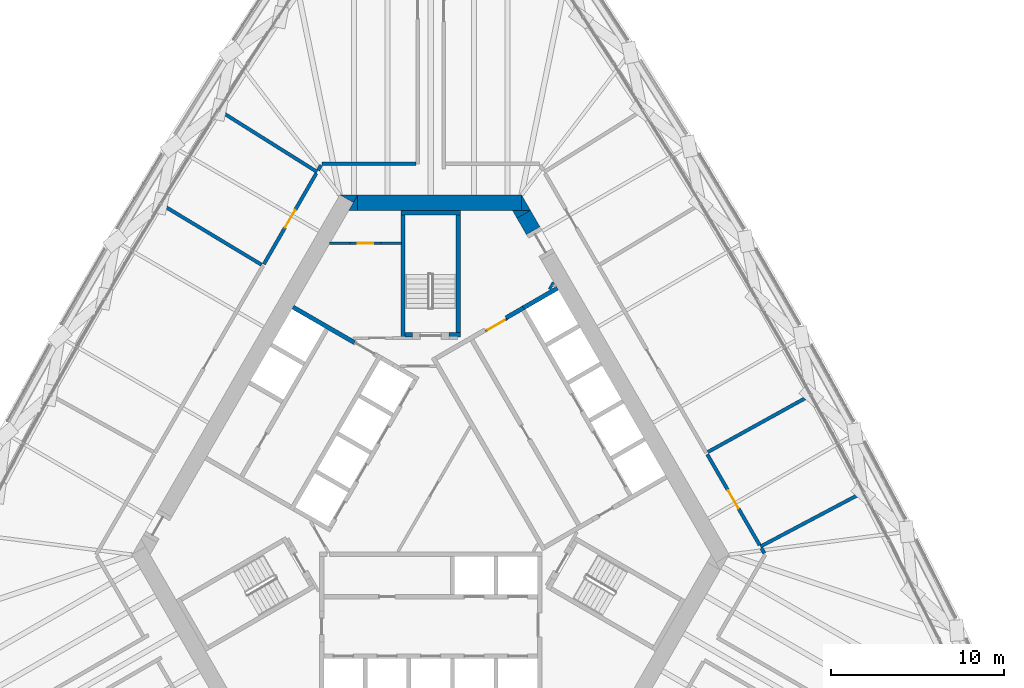
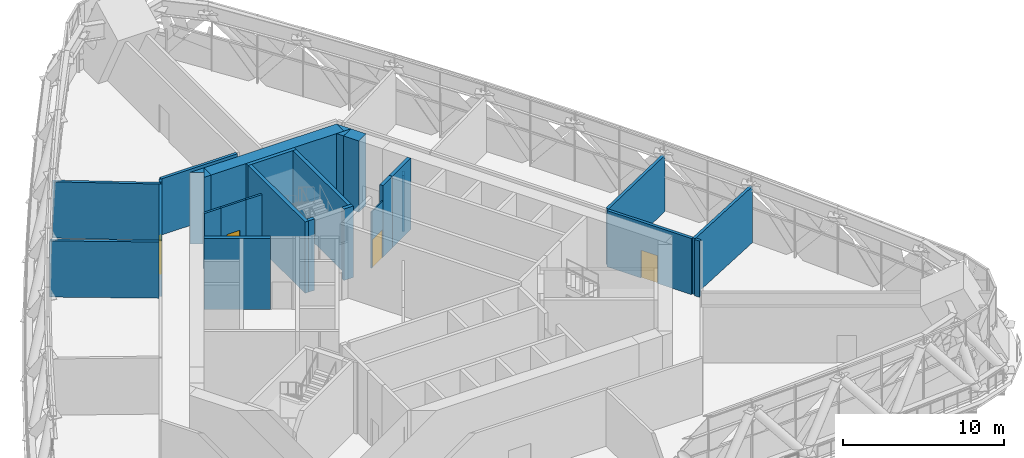
# One storey, part 29 of 43: 28 walls, 4 doors, 4 openings.
"""IFC4 building model written with IfcOpenShell, lengths in metres."""

from ifc_helpers import new_model, si_unit, direction, frame, frame_2d, origin, place, context, subcontext, project, spatial, polyline, rectangle, outline, extrude, material, layer, layer_set, type_object, element, fill, save


model = new_model("IFC4")

# Units and contexts
model_context = context("Model", 3, precision=1e-05, world=origin(), true_north=direction((0.0, 1.0)))
body_context = subcontext(model_context, "Body", "Model", "MODEL_VIEW")
ifc_project = project(units=[si_unit("LENGTHUNIT", "METRE"), si_unit("AREAUNIT", "SQUARE_METRE"), si_unit("VOLUMEUNIT", "CUBIC_METRE"), si_unit("PLANEANGLEUNIT", "RADIAN"), si_unit("MASSUNIT", "GRAM", prefix="KILO")], contexts=[model_context])

# Site, building, storey
site_placement = place(None, origin())
site = spatial("IfcSite", under=ifc_project, at=site_placement, CompositionType="ELEMENT")
building_placement = place(site_placement, origin())
building = spatial("IfcBuilding", under=site, at=building_placement, Name="Mestral Congress Tower", CompositionType="ELEMENT")
storey_placement = place(building_placement, frame((0.0, 0.0, 78.300048828125)))
storey = spatial("IfcBuildingStorey", under=building, at=storey_placement, Name="L18", CompositionType="ELEMENT", Elevation=78.300048828125)

# Walls
ifc_material_1 = material(Name="Fire-rated board partition")
ifc_layer_1 = layer(ifc_material_1, 0.14990234375)
ifc_layer_set_1 = layer_set([ifc_layer_1], Name="Fire-rated board partition")
wall_type_1 = type_object("IfcWallType", Name="Core partition 150", PredefinedType="PARTITIONING", material=ifc_layer_set_1)
wall_1_placement = place(storey_placement, frame((-5.85107421875, 14.10205078125, 0.0), z_axis=(0.0, 0.0, 1.0), x_axis=(1.0, 0.0, 0.0)))
element("IfcWall", 1, at=wall_1_placement, inside=storey, type_object=wall_type_1, Name="L18 core wall", PredefinedType="PARTITIONING", context=body_context, shape_type="SweptSolid", body=[
    extrude(rectangle(XDim=1.18017578125, YDim=0.14990234375, at=frame_2d((0.590087890625, 0.0))), origin(), (0.0, 0.0, 1.0), 4.25),
])
wall_2_placement = place(storey_placement, frame((-2.87060546875, 14.10205078125, 0.0), z_axis=(0.0, 0.0, 1.0), x_axis=(1.0, 0.0, 0.0)))
element("IfcWall", 2, at=wall_2_placement, inside=storey, type_object=wall_type_1, Name="L18 core wall", PredefinedType="PARTITIONING", context=body_context, shape_type="SweptSolid", body=[
    extrude(rectangle(XDim=1.195556640625, YDim=0.14990234375, at=frame_2d((0.59765625, 0.0))), origin(), (0.0, 0.0, 1.0), 4.25),
])
wall_3_placement = place(storey_placement, frame((6.87158203125, 11.44970703125, 0.0), z_axis=(0.0, 0.0, 1.0), x_axis=(0.499846793097, 0.866113839764, 0.0)))
element("IfcWall", 3, at=wall_3_placement, inside=storey, type_object=wall_type_1, Name="L18 core wall", PredefinedType="PARTITIONING", context=body_context, shape_type="SweptSolid", body=[
    extrude(rectangle(XDim=0.453369140625, YDim=0.14990234375, at=frame_2d((0.2265625, 0.0))), origin(), (0.0, 0.0, 1.0), 4.25),
])

# Wall, opening, door
wall_4_placement = place(storey_placement, frame((-2.870849609375, 14.10205078125, 0.0), z_axis=(0.0, 0.0, 1.0), x_axis=(-1.0, 0.0, 0.0)))
wall_4 = element("IfcWall", 4, at=wall_4_placement, inside=storey, type_object=wall_type_1, Name="L18 door wall", PredefinedType="PARTITIONING", context=body_context, shape_type="SweptSolid", body=[
    extrude(rectangle(XDim=1.800048828125, YDim=0.14990234375, at=frame_2d((0.89990234375, 0.0))), origin(), (0.0, 0.0, 1.0), 4.25),
])
opening_1_placement = place(wall_4_placement, frame((0.449951171875, 0.0, 0.0)))
opening_1 = element("IfcOpeningElement", 5, at=opening_1_placement, cuts=wall_4, Name="Opening SD-WS2", PredefinedType="OPENING", context=body_context, shape_type="SweptSolid", body=[
    extrude(rectangle(XDim=0.89990234375, YDim=2.10009765625, at=frame_2d((0.449951171875, 1.050048828125))), frame((0.0, 0.0849609375, 0.0), z_axis=(0.0, -1.0, 0.0), x_axis=(1.0, 0.0, 0.0)), (0.0, 0.0, 1.0), 0.169921875),
])
ifc_material_2 = material(Name="Fire-rated steel door set", Category="steel")
door_type_1 = type_object("IfcDoorType", Name="Core door SR 900x2100", OperationType="SINGLE_SWING_LEFT", PredefinedType="DOOR", material=ifc_material_2)
door_1_placement = place(opening_1_placement, origin())
door_1 = element("IfcDoor", 6, at=door_1_placement, inside=storey, type_object=door_type_1, Name="Door SD-WS2", OperationType="SINGLE_SWING_LEFT", OverallHeight=2.10009765625, OverallWidth=0.89990234375, PredefinedType="DOOR", context=body_context, shape_type="SweptSolid", body=[
    extrude(rectangle(XDim=0.89990234375, YDim=2.10009765625, at=frame_2d((0.449951171875, 1.050048828125))), frame((0.0, 0.02490234375, 0.0), z_axis=(0.0, -1.0, 0.0), x_axis=(1.0, 0.0, 0.0)), (0.0, 0.0, 1.0), 0.050048828125),
])
fill(opening_1, door_1)

ifc_layer_2 = layer(ifc_material_1, 0.090087890625)
ifc_layer_set_2 = layer_set([ifc_layer_2], Name="Fire-rated board partition")
wall_type_2 = type_object("IfcWallType", Name="Core partition 150 door-wall 90", PredefinedType="PARTITIONING", material=ifc_layer_set_2)
wall_5_placement = place(storey_placement, frame((3.182861328125, 9.02001953125, 0.0), z_axis=(0.0, 0.0, 1.0), x_axis=(0.866034573852, 0.49998411664, 0.0)))
wall_5 = element("IfcWall", 7, at=wall_5_placement, inside=storey, type_object=wall_type_2, Name="L18 door wall", PredefinedType="PARTITIONING", context=body_context, shape_type="SweptSolid", body=[
    extrude(rectangle(XDim=1.39990234375, YDim=0.090087890625, at=frame_2d((0.699951171875, 0.0))), origin(), (0.0, 0.0, 1.0), 4.25),
])
opening_2_placement = place(wall_5_placement, frame((0.10009765625, 0.0, 0.0)))
opening_2 = element("IfcOpeningElement", 8, at=opening_2_placement, cuts=wall_5, Name="Opening LB1-WL2", PredefinedType="OPENING", context=body_context, shape_type="SweptSolid", body=[
    extrude(rectangle(XDim=1.199951171875, YDim=2.10009765625, at=frame_2d((0.60009765625, 1.050048828125))), frame((0.0, 0.054931640625, 0.0), z_axis=(0.0, -1.0, 0.0), x_axis=(1.0, 0.0, 0.0)), (0.0, 0.0, 1.0), 0.110107421875),
])
door_type_2 = type_object("IfcDoorType", Name="Core door LB 1200x2100", OperationType="SINGLE_SWING_LEFT", PredefinedType="DOOR", material=ifc_material_2)
door_2_placement = place(opening_2_placement, origin())
door_2 = element("IfcDoor", 9, at=door_2_placement, inside=storey, type_object=door_type_2, Name="Door LB1-WL2", OperationType="SINGLE_SWING_LEFT", OverallHeight=2.10009765625, OverallWidth=1.199951171875, PredefinedType="DOOR", context=body_context, shape_type="SweptSolid", body=[
    extrude(rectangle(XDim=1.199951171875, YDim=2.10009765625, at=frame_2d((0.60009765625, 1.050048828125))), frame((0.0, 0.02490234375, 0.0), z_axis=(0.0, -1.0, 0.0), x_axis=(1.0, 0.0, 0.0)), (0.0, 0.0, 1.0), 0.050048828125),
])
fill(opening_2, door_2)

# Walls
ifc_material_3 = material(Name="Concrete C60/75", Category="concrete")
ifc_layer_3 = layer(ifc_material_3, 0.89990234375)
ifc_layer_set_3 = layer_set([ifc_layer_3], Name="Concrete C60/75")
wall_type_3 = type_object("IfcWallType", Name="Core wall RC 900", PredefinedType="SOLIDWALL", material=ifc_layer_set_3)
placement = place(storey_placement, origin())
element("IfcWall", 10, at=placement, inside=storey, type_object=wall_type_3, Name="L18 core wall", PredefinedType="SOLIDWALL", context=body_context, shape_type="SweptSolid", body=[
    extrude(outline(polyline([(-4.214599609375, 16.89990234375), (-4.46875, 16.460205078125), (-5.230712890625, 16.89990234375), (-4.214599609375, 16.89990234375)])), origin(), (0.0, 0.0, 1.0), 5.39990234375),
])
wall_7_placement = place(storey_placement, frame((-4.224365234375, 16.449951171875, 0.0), z_axis=(0.0, 0.0, 1.0), x_axis=(1.0, 0.0, 0.0)))
element("IfcWall", 11, at=wall_7_placement, inside=storey, type_object=wall_type_3, Name="L18 core wall", PredefinedType="SOLIDWALL", context=body_context, shape_type="SweptSolid", body=[
    extrude(rectangle(XDim=9.48779296875, YDim=0.89990234375, at=frame_2d((4.743896484375, 0.0))), origin(), (0.0, 0.0, 1.0), 5.39990234375),
])
element("IfcWall", 12, at=placement, inside=storey, type_object=wall_type_3, Name="L18 core wall", PredefinedType="SOLIDWALL", context=body_context, shape_type="SweptSolid", body=[
    extrude(outline(polyline([(5.265380859375, 16.0), (5.265380859375, 16.8798828125), (5.7734375, 16.0), (5.265380859375, 16.0)])), origin(), (0.0, 0.0, 1.0), 5.39990234375),
])
element("IfcWall", 13, at=placement, inside=storey, type_object=wall_type_3, Name="L18 core wall", PredefinedType="SOLIDWALL", context=body_context, shape_type="SweptSolid", body=[
    extrude(outline(polyline([(-4.734375, 16.0), (-4.226318359375, 16.8798828125), (-4.226318359375, 16.0), (-4.734375, 16.0)])), origin(), (0.0, 0.0, 1.0), 5.39990234375),
])
wall_10_placement = place(storey_placement, frame((5.92578125, 14.836181640625, 0.0), z_axis=(0.0, 0.0, 1.0), x_axis=(-0.500076735116, 0.865981096212, 0.0)))
element("IfcWall", 14, at=wall_10_placement, inside=storey, type_object=wall_type_3, Name="L18 core wall", PredefinedType="SOLIDWALL", context=body_context, shape_type="SweptSolid", body=[
    extrude(rectangle(XDim=1.093505859375, YDim=0.89990234375, at=frame_2d((0.546875, 0.0))), origin(), (0.0, 0.0, 1.0), 5.39990234375),
])
element("IfcWall", 15, at=placement, inside=storey, type_object=wall_type_3, Name="L18 core wall", PredefinedType="SOLIDWALL", context=body_context, shape_type="SweptSolid", body=[
    extrude(outline(polyline([(4.734375, 16.0), (5.750244140625, 16.0), (4.98828125, 15.56005859375), (4.734375, 16.0)])), origin(), (0.0, 0.0, 1.0), 5.39990234375),
])
ifc_layer_4 = layer(ifc_material_3, 0.25)
ifc_layer_set_4 = layer_set([ifc_layer_4], Name="Concrete C60/75")
wall_type_4 = type_object("IfcWallType", Name="Shaft wall RC 250", PredefinedType="SOLIDWALL", material=ifc_layer_set_4)
wall_12_placement = place(storey_placement, frame((4.3583984375, 9.791015625, 0.0), z_axis=(0.0, 0.0, 1.0), x_axis=(0.866079547155, 0.499906209203, 0.0)))
element("IfcWall", 16, at=wall_12_placement, inside=storey, type_object=wall_type_4, Name="L18 core wall", PredefinedType="SOLIDWALL", context=body_context, shape_type="SweptSolid", body=[
    extrude(rectangle(XDim=1.150146484375, YDim=0.25, at=frame_2d((0.5751953125, 0.0))), origin(), (0.0, 0.0, 1.0), 5.39990234375),
])
wall_13_placement = place(storey_placement, frame((5.356201171875, 10.366943359375, 0.0), z_axis=(0.0, 0.0, 1.0), x_axis=(0.865978535641, 0.50008116922, 0.0)))
element("IfcWall", 17, at=wall_13_placement, inside=storey, type_object=wall_type_4, Name="L18 core wall", PredefinedType="SOLIDWALL", context=body_context, shape_type="SweptSolid", body=[
    extrude(rectangle(XDim=2.27783203125, YDim=0.25, at=frame_2d((1.138916015625, 0.0))), origin(), (0.0, 0.0, 1.0), 5.39990234375),
])
wall_14_placement = place(storey_placement, frame((-7.958984375, 10.414794921875, 0.0), z_axis=(0.0, 0.0, 1.0), x_axis=(0.866020958405, -0.500007699544, 0.0)))
element("IfcWall", 18, at=wall_14_placement, inside=storey, type_object=wall_type_4, Name="L18 core wall", PredefinedType="SOLIDWALL", context=body_context, shape_type="SweptSolid", body=[
    extrude(rectangle(XDim=4.099609375, YDim=0.25, at=frame_2d((2.0498046875, 0.0))), origin(), (0.0, 0.0, 1.0), 5.39990234375),
])
ifc_material_4 = material(Name="Concrete block wall, plastered", Category="concrete")
ifc_layer_5 = layer(ifc_material_4, 0.199951171875)
ifc_layer_set_5 = layer_set([ifc_layer_5], Name="Concrete block wall, plastered")
wall_type_5 = type_object("IfcWallType", Name="Special partition 200 EI 120", PredefinedType="PARTITIONING", material=ifc_layer_set_5)
wall_15_placement = place(storey_placement, frame((-9.777587890625, 12.864501953125, 0.0), z_axis=(0.0, 0.0, 1.0), x_axis=(-0.856637163458, 0.515919344648, 0.0)))
element("IfcWall", 19, at=wall_15_placement, inside=storey, type_object=wall_type_5, Name="Partition", PredefinedType="PARTITIONING", context=body_context, shape_type="SweptSolid", body=[
    extrude(rectangle(XDim=6.755615234375, YDim=0.199951171875, at=frame_2d((3.3779296875, 0.0))), origin(), (0.0, 0.0, 1.0), 4.25),
])
wall_16_placement = place(storey_placement, frame((16.02978515625, 2.035400390625, 0.0), z_axis=(0.0, 0.0, 1.0), x_axis=(0.875134013618, 0.483880623924, 0.0)))
element("IfcWall", 20, at=wall_16_placement, inside=storey, type_object=wall_type_5, Name="Partition", PredefinedType="PARTITIONING", context=body_context, shape_type="SweptSolid", body=[
    extrude(rectangle(XDim=6.75537109375, YDim=0.199951171875, at=frame_2d((3.377685546875, 0.0))), origin(), (0.0, 0.0, 1.0), 4.25),
])
wall_17_placement = place(storey_placement, frame((-6.564697265625, 18.229736328125, 0.0), z_axis=(0.0, 0.0, 1.0), x_axis=(-0.846937435942, 0.531692561166, 0.0)))
element("IfcWall", 21, at=wall_17_placement, inside=storey, type_object=wall_type_5, Name="Partition", PredefinedType="PARTITIONING", context=body_context, shape_type="SweptSolid", body=[
    extrude(rectangle(XDim=6.681884765625, YDim=0.199951171875, at=frame_2d((3.3408203125, 0.0))), origin(), (0.0, 0.0, 1.0), 4.25),
])
wall_18_placement = place(storey_placement, frame((19.06982421875, -3.429931640625, 0.0), z_axis=(0.0, 0.0, 1.0), x_axis=(0.883901648481, 0.467672829884, 0.0)))
element("IfcWall", 22, at=wall_18_placement, inside=storey, type_object=wall_type_5, Name="Partition", PredefinedType="PARTITIONING", context=body_context, shape_type="SweptSolid", body=[
    extrude(rectangle(XDim=6.68212890625, YDim=0.199951171875, at=frame_2d((3.341064453125, 0.0))), origin(), (0.0, 0.0, 1.0), 4.25),
])

# Wall, opening, door
wall_19_placement = place(storey_placement, frame((19.02001953125, -3.343505859375, 0.0), z_axis=(0.0, 0.0, 1.0), x_axis=(-0.500033068104, 0.866006311064, 0.0)))
wall_19 = element("IfcWall", 23, at=wall_19_placement, inside=storey, type_object=wall_type_5, Name="Partition", PredefinedType="PARTITIONING", context=body_context, shape_type="SweptSolid", body=[
    extrude(rectangle(XDim=6.05517578125, YDim=0.199951171875, at=frame_2d((3.027587890625, 0.0))), origin(), (0.0, 0.0, 1.0), 4.25),
])
opening_3_placement = place(wall_19_placement, frame((2.427490234375, 0.0, 0.0)))
opening_3 = element("IfcOpeningElement", 24, at=opening_3_placement, cuts=wall_19, Name="Opening S18-006", PredefinedType="OPENING", context=body_context, shape_type="SweptSolid", body=[
    extrude(rectangle(XDim=1.199951171875, YDim=2.10009765625, at=frame_2d((0.60009765625, 1.050048828125))), frame((0.0, 0.10986328125, 0.0), z_axis=(0.0, -1.0, 0.0), x_axis=(1.0, 0.0, 0.0)), (0.0, 0.0, 1.0), 0.219970703125),
])
door_type_3 = type_object("IfcDoorType", Name="Plant room door 1200x2100", OperationType="SINGLE_SWING_LEFT", PredefinedType="DOOR", material=ifc_material_2)
door_3_placement = place(opening_3_placement, origin())
door_3 = element("IfcDoor", 25, at=door_3_placement, inside=storey, type_object=door_type_3, Name="Door S18-006", OperationType="SINGLE_SWING_RIGHT", OverallHeight=2.10009765625, OverallWidth=1.199951171875, PredefinedType="DOOR", context=body_context, shape_type="SweptSolid", body=[
    extrude(rectangle(XDim=1.199951171875, YDim=2.10009765625, at=frame_2d((0.60009765625, 1.050048828125))), frame((0.0, 0.02490234375, 0.0), z_axis=(0.0, -1.0, 0.0), x_axis=(1.0, 0.0, 0.0)), (0.0, 0.0, 1.0), 0.050048828125),
])
fill(opening_3, door_3)

wall_20_placement = place(storey_placement, frame((-6.614501953125, 18.143310546875, 0.0), z_axis=(0.0, 0.0, 1.0), x_axis=(-0.500002829465, -0.866023770186, 0.0)))
wall_20 = element("IfcWall", 26, at=wall_20_placement, inside=storey, type_object=wall_type_5, Name="Partition", PredefinedType="PARTITIONING", context=body_context, shape_type="SweptSolid", body=[
    extrude(rectangle(XDim=6.05517578125, YDim=0.199951171875, at=frame_2d((3.027587890625, 0.0))), origin(), (0.0, 0.0, 1.0), 4.25),
])
opening_4_placement = place(wall_20_placement, frame((2.427490234375, 0.0, 0.0)))
opening_4 = element("IfcOpeningElement", 27, at=opening_4_placement, cuts=wall_20, Name="Opening S18-011", PredefinedType="OPENING", context=body_context, shape_type="SweptSolid", body=[
    extrude(rectangle(XDim=1.199951171875, YDim=2.10009765625, at=frame_2d((0.60009765625, 1.050048828125))), frame((0.0, 0.10986328125, 0.0), z_axis=(0.0, -1.0, 0.0), x_axis=(1.0, 0.0, 0.0)), (0.0, 0.0, 1.0), 0.219970703125),
])
door_4_placement = place(opening_4_placement, origin())
door_4 = element("IfcDoor", 28, at=door_4_placement, inside=storey, type_object=door_type_3, Name="Door S18-011", OperationType="SINGLE_SWING_RIGHT", OverallHeight=2.10009765625, OverallWidth=1.199951171875, PredefinedType="DOOR", context=body_context, shape_type="SweptSolid", body=[
    extrude(rectangle(XDim=1.199951171875, YDim=2.10009765625, at=frame_2d((0.60009765625, 1.050048828125))), frame((0.0, 0.02490234375, 0.0), z_axis=(0.0, -1.0, 0.0), x_axis=(1.0, 0.0, 0.0)), (0.0, 0.0, 1.0), 0.050048828125),
])
fill(opening_4, door_4)

# Walls
wall_21_placement = place(storey_placement, frame((-6.293212890625, 18.699951171875, 0.0), z_axis=(0.0, 0.0, 1.0), x_axis=(1.0, 0.0, 0.0)))
element("IfcWall", 29, at=wall_21_placement, inside=storey, type_object=wall_type_5, Name="Partition", PredefinedType="PARTITIONING", context=body_context, shape_type="SweptSolid", body=[
    extrude(rectangle(XDim=5.443115234375, YDim=0.199951171875, at=frame_2d((2.7216796875, 0.0))), origin(), (0.0, 0.0, 1.0), 4.25),
])
for number, where, z_axis, x_axis, name in (
    (30, (-6.509765625, 18.324951171875, 0.0), (0.0, 0.0, 1.0), (0.500194616298, 0.865913012852, 0.0), "Partition"),
    (31, (19.124755859375, -3.52490234375, 0.0), (0.0, 0.0, 1.0), (0.499660834167, -0.866221132737, 0.0), "Partition"),
):
    element("IfcWall", number, at=place(storey_placement, frame(where, z_axis=z_axis, x_axis=x_axis)), inside=storey, type_object=wall_type_5, Name=name, PredefinedType="PARTITIONING", context=body_context, shape_type="SweptSolid", body=[
        extrude(rectangle(XDim=0.343017578125, YDim=0.199951171875, at=frame_2d((0.17138671875, 0.0))), origin(), (0.0, 0.0, 1.0), 4.25),
    ])
ifc_layer_6 = layer(ifc_material_3, 0.25)
ifc_layer_set_6 = layer_set([ifc_layer_6], Name="Concrete C60/75")
wall_type_6 = type_object("IfcWallType", Name="Stair wall RC 250", PredefinedType="SOLIDWALL", material=ifc_layer_set_6)
wall_22_placement = place(storey_placement, frame((-1.72509765625, 15.875, 0.0), z_axis=(0.0, 0.0, 1.0), x_axis=(1.0, 0.0, 0.0)))
element("IfcWall", 32, at=wall_22_placement, inside=storey, type_object=wall_type_6, Name="L18 core wall", PredefinedType="SOLIDWALL", context=body_context, shape_type="SweptSolid", body=[
    extrude(rectangle(XDim=3.4501953125, YDim=0.25, at=frame_2d((1.72509765625, 0.0))), origin(), (0.0, 0.0, 1.0), 5.39990234375),
])
wall_23_placement = place(storey_placement, frame((1.60009765625, 8.949951171875, 0.0), z_axis=(0.0, 0.0, 1.0), x_axis=(0.0, 1.0, 0.0)))
element("IfcWall", 33, at=wall_23_placement, inside=storey, type_object=wall_type_6, Name="L18 core wall", PredefinedType="SOLIDWALL", context=body_context, shape_type="SweptSolid", body=[
    extrude(rectangle(XDim=6.800048828125, YDim=0.25, at=frame_2d((3.39990234375, 0.0))), origin(), (0.0, 0.0, 1.0), 5.39990234375),
])
wall_24_placement = place(storey_placement, frame((1.050048828125, 8.824951171875, 0.0), z_axis=(0.0, 0.0, 1.0), x_axis=(1.0, 0.0, 0.0)))
element("IfcWall", 34, at=wall_24_placement, inside=storey, type_object=wall_type_6, Name="L18 core wall", PredefinedType="SOLIDWALL", context=body_context, shape_type="SweptSolid", body=[
    extrude(rectangle(XDim=0.675048828125, YDim=0.25, at=frame_2d((0.33740234375, 0.0))), origin(), (0.0, 0.0, 1.0), 5.39990234375),
])
wall_25_placement = place(storey_placement, frame((-1.60009765625, 8.699951171875, 0.0), z_axis=(0.0, 0.0, 1.0), x_axis=(0.0, 1.0, 0.0)))
element("IfcWall", 35, at=wall_25_placement, inside=storey, type_object=wall_type_6, Name="L18 core wall", PredefinedType="SOLIDWALL", context=body_context, shape_type="SweptSolid", body=[
    extrude(rectangle(XDim=7.050048828125, YDim=0.25, at=frame_2d((3.52490234375, 0.0))), origin(), (0.0, 0.0, 1.0), 5.39990234375),
])
wall_26_placement = place(storey_placement, frame((-1.47509765625, 8.824951171875, 0.0), z_axis=(0.0, 0.0, 1.0), x_axis=(1.0, 0.0, 0.0)))
element("IfcWall", 36, at=wall_26_placement, inside=storey, type_object=wall_type_6, Name="L18 core wall", PredefinedType="SOLIDWALL", context=body_context, shape_type="SweptSolid", body=[
    extrude(rectangle(XDim=0.425048828125, YDim=0.25, at=frame_2d((0.21240234375, 0.0))), origin(), (0.0, 0.0, 1.0), 5.39990234375),
])

save(model, "model.ifc")
